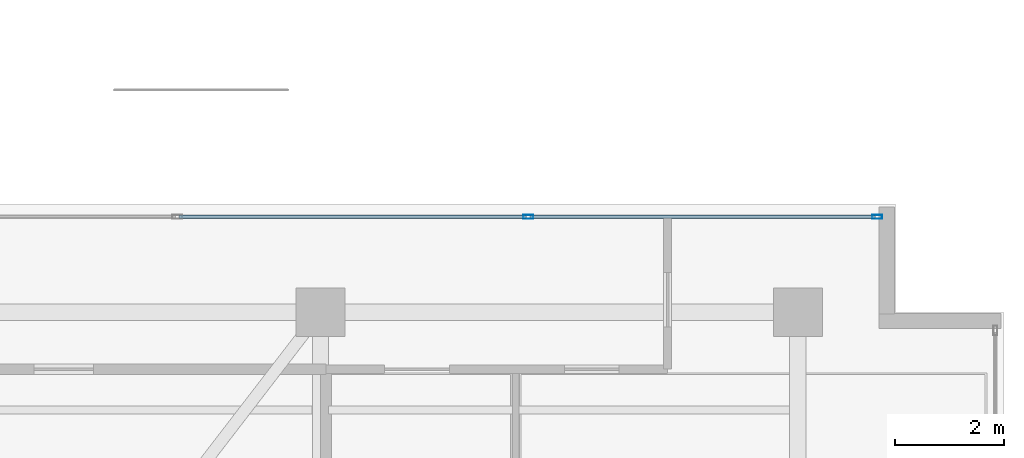
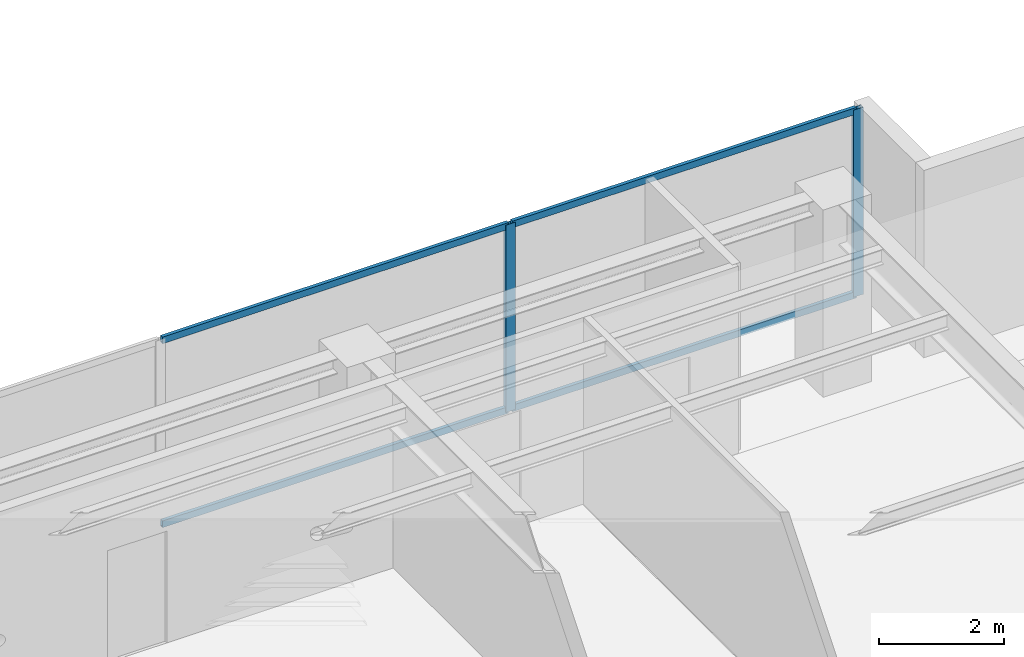
# One storey, part 18 of 31: 6 members, 1 element without a shape of its own.
"""IFC4 building model written with IfcOpenShell, lengths in metres."""

from ifc_helpers import new_model, si_unit, direction, frame, origin, origin_with_axes, origin_2d, place, context, subcontext, project, spatial, hollow_rectangle, extrude, source, transform, mapped, material, layer, layer_set, material_profile, profile_set, type_object, element, aggregate, save


model = new_model("IFC4")

# Units and contexts
model_context = context("Model", 3, precision=1e-05, world=origin(), true_north=direction((0.0, 1.0)))
body_context = subcontext(model_context, "Body", "Model", "MODEL_VIEW")
ifc_project = project(units=[si_unit("LENGTHUNIT", "METRE"), si_unit("AREAUNIT", "SQUARE_METRE"), si_unit("VOLUMEUNIT", "CUBIC_METRE"), si_unit("PLANEANGLEUNIT", "RADIAN"), si_unit("MASSUNIT", "GRAM", prefix="KILO")], contexts=[model_context])

# Site, building, storey
site_placement = place(None, origin())
site = spatial("IfcSite", under=ifc_project, at=site_placement, CompositionType="ELEMENT")
building_placement = place(site_placement, origin())
building = spatial("IfcBuilding", under=site, at=building_placement, Name="Kolvaren Waterfront Exchange", CompositionType="ELEMENT")
storey_placement = place(building_placement, frame((0.0, 0.0, 344.199951171875)))
storey = spatial("IfcBuildingStorey", under=building, at=storey_placement, Name="L88", CompositionType="ELEMENT", Elevation=344.199951171875)

# Curtain wall, members
ifc_material = material(Name="Anodised bronze aluminium 6063-T6", Category="aluminium")
ifc_layer = layer(ifc_material, 0.219970703125, Name="Anodised bronze aluminium 6063-T6")
ifc_layer_set = layer_set([ifc_layer], Name="Anodised bronze aluminium 6063-T6")
curtain_wall_type = type_object("IfcCurtainWallType", Name="ARC-CW-SYS5", PredefinedType="USERDEFINED", material=ifc_layer_set)
curtain_wall_placement = place(storey_placement, origin())
curtain_wall = element("IfcCurtainWall", 1, at=curtain_wall_placement, inside=storey, type_object=curtain_wall_type, Name="L88 stick curtain wall CW5 (CW-L88-EN)", ObjectType="STICK CURTAIN WALL", PredefinedType="USERDEFINED")
ifc_material_profile_1 = material_profile(ifc_material, hollow_rectangle(XDim=0.074951171875, YDim=0.179931640625, WallThickness=0.00439453125, at=origin_2d()), Name="ALU-MUL-180x75x4.5")
ifc_profile_set_1 = profile_set([ifc_material_profile_1], Name="Anodised bronze aluminium 6063-T6")
member_type_1 = type_object("IfcMemberType", Name="ARC-CWM-180", PredefinedType="MULLION", material=ifc_profile_set_1)
shared_shape_1 = source(origin_with_axes(), body_context, "Body", "SweptSolid", [
    extrude(hollow_rectangle(XDim=0.074951171875, YDim=0.179931640625, WallThickness=0.00439453125, at=origin_2d()), origin(), (0.0, 0.0, 1.0), 3.66015625),
])
member_1_placement = place(storey_placement, frame((40.6298828125, 19.159912109375, 0.0), z_axis=(0.0, 0.0, 1.0), x_axis=(0.0, 1.0, 0.0)))
member_1 = element("IfcMember", 2, at=member_1_placement, type_object=member_type_1, Name="CW5 mullion 3", PredefinedType="MULLION", context=body_context, shape_type="MappedRepresentation", body=[
    mapped(shared_shape_1, transform((0.0, 0.0, 0.0), x_axis=(1.0, 0.0, 0.0), y_axis=(0.0, 1.0, 0.0), z_axis=(0.0, 0.0, 1.0), scale=1.0)),
])
member_2_placement = place(storey_placement, frame((47.0625, 19.159912109375, 0.0), z_axis=(0.0, 0.0, 1.0), x_axis=(0.0, 1.0, 0.0)))
member_2 = element("IfcMember", 3, at=member_2_placement, type_object=member_type_1, Name="CW5 mullion 4", PredefinedType="MULLION", context=body_context, shape_type="MappedRepresentation", body=[
    mapped(shared_shape_1, transform((0.0, 0.0, 0.0), x_axis=(1.0, 0.0, 0.0), y_axis=(0.0, 1.0, 0.0), z_axis=(0.0, 0.0, 1.0), scale=1.0)),
])
ifc_material_profile_2 = material_profile(ifc_material, hollow_rectangle(XDim=0.06494140625, YDim=0.1298828125, WallThickness=0.00390625, at=origin_2d()), Name="ALU-TRN-130x65x4")
ifc_profile_set_2 = profile_set([ifc_material_profile_2], Name="Anodised bronze aluminium 6063-T6")
member_type_2 = type_object("IfcMemberType", Name="ARC-CWT-130", PredefinedType="USERDEFINED", material=ifc_profile_set_2)
shared_shape_2 = source(origin_with_axes(), body_context, "Body", "SweptSolid", [
    extrude(hollow_rectangle(XDim=0.06494140625, YDim=0.1298828125, WallThickness=0.00390625, at=origin_2d()), origin(), (0.0, 0.0, 1.0), 6.39501953125),
])
member_3_placement = place(storey_placement, frame((34.197509765625, 19.159912109375, 0.032470703125), z_axis=(1.0, 0.0, 0.0), x_axis=(0.0, 1.0, 0.0)))
member_3 = element("IfcMember", 4, at=member_3_placement, type_object=member_type_2, Name="CW5 transom 2.1", ObjectType="TRANSOM", PredefinedType="USERDEFINED", context=body_context, shape_type="MappedRepresentation", body=[
    mapped(shared_shape_2, transform((0.0, 0.0, 0.0), x_axis=(1.0, 0.0, 0.0), y_axis=(0.0, 1.0, 0.0), z_axis=(0.0, 0.0, 1.0), scale=1.0)),
])
member_4_placement = place(storey_placement, frame((34.197509765625, 19.159912109375, 3.62744140625), z_axis=(1.0, 0.0, 0.0), x_axis=(0.0, 1.0, 0.0)))
member_4 = element("IfcMember", 5, at=member_4_placement, type_object=member_type_2, Name="CW5 transom 2.2", ObjectType="TRANSOM", PredefinedType="USERDEFINED", context=body_context, shape_type="MappedRepresentation", body=[
    mapped(shared_shape_2, transform((0.0, 0.0, 0.0), x_axis=(1.0, 0.0, 0.0), y_axis=(0.0, 1.0, 0.0), z_axis=(0.0, 0.0, 1.0), scale=1.0)),
])
shared_shape_3 = source(origin_with_axes(), body_context, "Body", "SweptSolid", [
    extrude(hollow_rectangle(XDim=0.06494140625, YDim=0.1298828125, WallThickness=0.00390625, at=origin_2d()), origin(), (0.0, 0.0, 1.0), 6.357421875),
])
member_5_placement = place(storey_placement, frame((40.66748046875, 19.159912109375, 0.032470703125), z_axis=(1.0, 0.0, 0.0), x_axis=(0.0, 1.0, 0.0)))
member_5 = element("IfcMember", 6, at=member_5_placement, type_object=member_type_2, Name="CW5 transom 3.1", ObjectType="TRANSOM", PredefinedType="USERDEFINED", context=body_context, shape_type="MappedRepresentation", body=[
    mapped(shared_shape_3, transform((0.0, 0.0, 0.0), x_axis=(1.0, 0.0, 0.0), y_axis=(0.0, 1.0, 0.0), z_axis=(0.0, 0.0, 1.0), scale=1.0)),
])
member_6_placement = place(storey_placement, frame((40.66748046875, 19.159912109375, 3.62744140625), z_axis=(1.0, 0.0, 0.0), x_axis=(0.0, 1.0, 0.0)))
member_6 = element("IfcMember", 7, at=member_6_placement, type_object=member_type_2, Name="CW5 transom 3.2", ObjectType="TRANSOM", PredefinedType="USERDEFINED", context=body_context, shape_type="MappedRepresentation", body=[
    mapped(shared_shape_3, transform((0.0, 0.0, 0.0), x_axis=(1.0, 0.0, 0.0), y_axis=(0.0, 1.0, 0.0), z_axis=(0.0, 0.0, 1.0), scale=1.0)),
])
aggregate(curtain_wall, [member_1, member_2, member_3, member_4, member_5, member_6])

save(model, "model.ifc")
